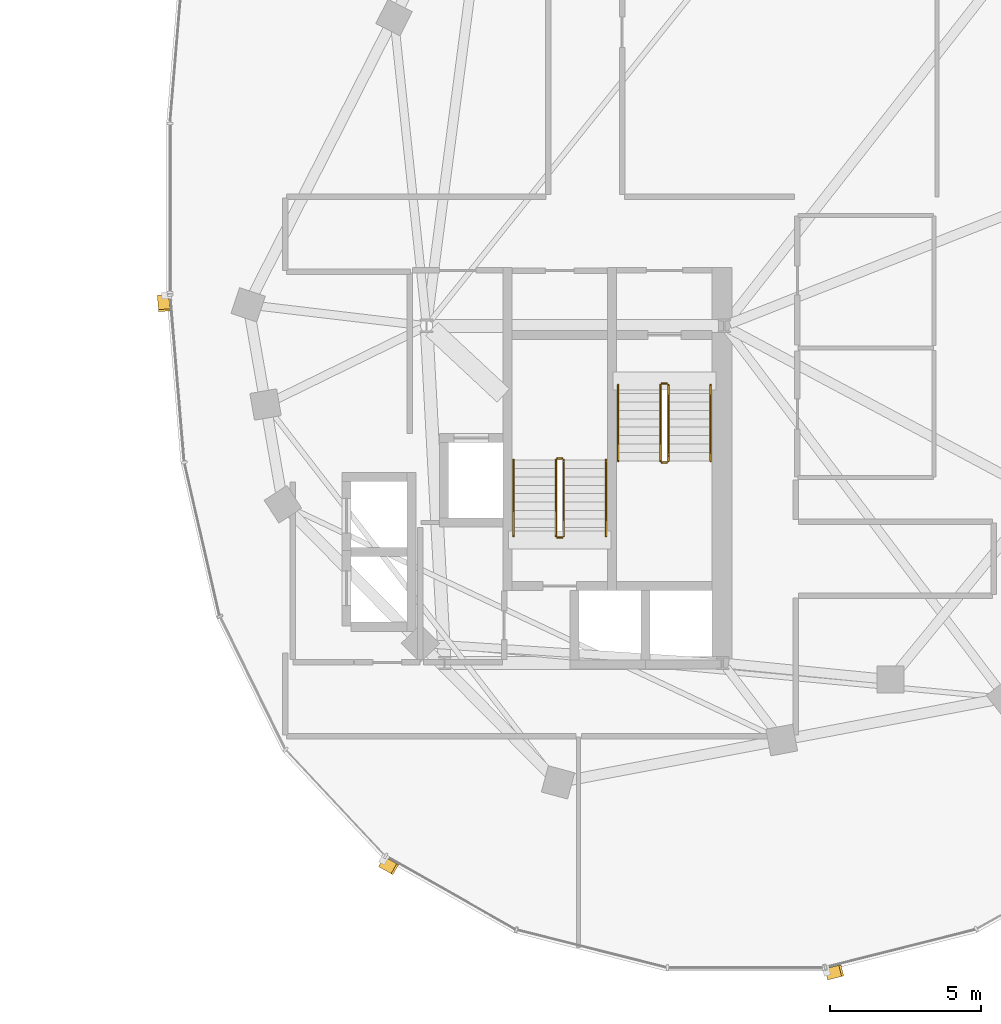
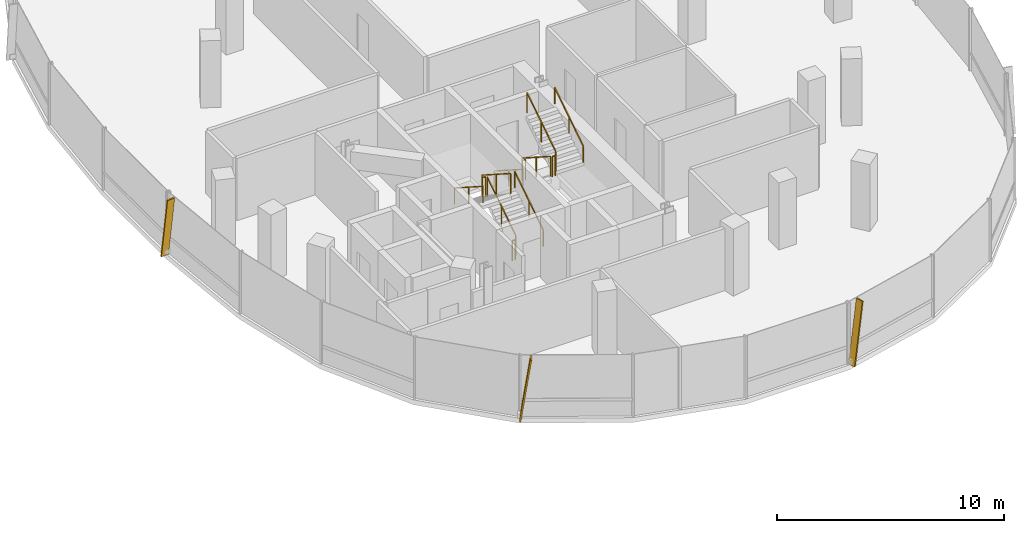
# One storey, part 23 of 24: 12 railings, 3 shading devices.
"""IFC4 building model written with IfcOpenShell, lengths in metres."""

from ifc_helpers import new_model, si_unit, direction, frame, origin, origin_2d, place, context, subcontext, project, spatial, rectangle, extrude, material, material_profile, profile_set, type_object, element, save


model = new_model("IFC4")

# Units and contexts
model_context = context("Model", 3, precision=1e-05, world=origin(), true_north=direction((0.0, 1.0)))
body_context = subcontext(model_context, "Body", "Model", "MODEL_VIEW")
ifc_project = project(units=[si_unit("LENGTHUNIT", "METRE"), si_unit("AREAUNIT", "SQUARE_METRE"), si_unit("VOLUMEUNIT", "CUBIC_METRE"), si_unit("PLANEANGLEUNIT", "RADIAN"), si_unit("MASSUNIT", "GRAM", prefix="KILO"), si_unit("THERMODYNAMICTEMPERATUREUNIT", "KELVIN"), si_unit("POWERUNIT", "WATT")], contexts=[model_context])

# Site, building, storey
site_placement = place(None, origin())
site = spatial("IfcSite", under=ifc_project, at=site_placement, CompositionType="ELEMENT")
building_placement = place(site_placement, origin())
building = spatial("IfcBuilding", under=site, at=building_placement, Name="Cundina Bronze Exchange", CompositionType="ELEMENT")
storey_placement = place(building_placement, frame((0.0, 0.0, 227.800048828125)))
storey = spatial("IfcBuildingStorey", under=building, at=storey_placement, Name="L60", CompositionType="ELEMENT", Elevation=227.800048828125)

# Railings
ifc_material_1 = material(Name="Steel ASTM A36 Painted", Category="steel")
railing_type_1 = type_object("IfcRailingType", Name="RLG-HND-900", PredefinedType="HANDRAIL", material=ifc_material_1)
railing_1_placement = place(storey_placement, frame((27.7900390625, -5.85009765625, 0.179931640625)))
element("IfcRailing", 1, at=railing_1_placement, inside=storey, type_object=railing_type_1, Name="L60 ST-E1 stair handrail 1", PredefinedType="HANDRAIL", context=body_context, shape_type="SweptSolid", body=[
    extrude(rectangle(XDim=0.048095703125, YDim=0.048095703125, at=origin_2d()), frame((0.0, 0.0, 0.8759765625), z_axis=(0.0, -0.841162588446, 0.540782303519), x_axis=(1.0, 0.0, 0.0)), (0.0, 0.0, 1.0), 2.995849609375),
    extrude(rectangle(XDim=0.0419921875, YDim=0.0419921875, at=origin_2d()), origin(), (0.0, 0.0, 1.0), 0.851806640625),
    extrude(rectangle(XDim=0.0419921875, YDim=0.0419921875, at=origin_2d()), frame((0.0, -1.260009765625, 0.81005859375)), (0.0, 0.0, 1.0), 0.851806640625),
    extrude(rectangle(XDim=0.0419921875, YDim=0.0419921875, at=origin_2d()), frame((0.0, -2.52001953125, 1.6201171875)), (0.0, 0.0, 1.0), 0.851806640625),
])
railing_2_placement = place(storey_placement, frame((30.85009765625, -8.3701171875, 1.97998046875)))
element("IfcRailing", 2, at=railing_2_placement, inside=storey, type_object=railing_type_1, Name="L60 ST-E1 stair handrail 2", PredefinedType="HANDRAIL", context=body_context, shape_type="SweptSolid", body=[
    extrude(rectangle(XDim=0.048095703125, YDim=0.048095703125, at=origin_2d()), frame((0.0, 0.0, 0.8759765625), z_axis=(0.0, 0.841199657755, 0.540724639528), x_axis=(-1.0, 0.0, 0.0)), (0.0, 0.0, 1.0), 2.995849609375),
    extrude(rectangle(XDim=0.0419921875, YDim=0.0419921875, at=origin_2d()), origin(), (0.0, 0.0, 1.0), 0.851806640625),
    extrude(rectangle(XDim=0.0419921875, YDim=0.0419921875, at=origin_2d()), frame((0.0, 1.260009765625, 0.81005859375)), (0.0, 0.0, 1.0), 0.851806640625),
    extrude(rectangle(XDim=0.0419921875, YDim=0.0419921875, at=origin_2d()), frame((0.0, 2.52001953125, 1.619873046875)), (0.0, 0.0, 1.0), 0.851806640625),
])
railing_3_placement = place(storey_placement, frame((27.389892578125, -10.85009765625, 0.179931640625)))
element("IfcRailing", 3, at=railing_3_placement, inside=storey, type_object=railing_type_1, Name="L60 ST-E2 stair handrail 1", PredefinedType="HANDRAIL", context=body_context, shape_type="SweptSolid", body=[
    extrude(rectangle(XDim=0.048095703125, YDim=0.048095703125, at=origin_2d()), frame((0.0, 0.0, 0.8759765625), z_axis=(0.0, 0.841162588446, 0.540782303519), x_axis=(-1.0, 0.0, 0.0)), (0.0, 0.0, 1.0), 2.995849609375),
    extrude(rectangle(XDim=0.0419921875, YDim=0.0419921875, at=origin_2d()), origin(), (0.0, 0.0, 1.0), 0.851806640625),
    extrude(rectangle(XDim=0.0419921875, YDim=0.0419921875, at=origin_2d()), frame((0.0, 1.260009765625, 0.81005859375)), (0.0, 0.0, 1.0), 0.851806640625),
    extrude(rectangle(XDim=0.0419921875, YDim=0.0419921875, at=origin_2d()), frame((0.0, 2.52001953125, 1.6201171875)), (0.0, 0.0, 1.0), 0.851806640625),
])
railing_4_placement = place(storey_placement, frame((24.330078125, -8.330078125, 1.97998046875)))
element("IfcRailing", 4, at=railing_4_placement, inside=storey, type_object=railing_type_1, Name="L60 ST-E2 stair handrail 2", PredefinedType="HANDRAIL", context=body_context, shape_type="SweptSolid", body=[
    extrude(rectangle(XDim=0.048095703125, YDim=0.048095703125, at=origin_2d()), frame((0.0, 0.0, 0.8759765625), z_axis=(0.0, -0.841199657755, 0.540724639528), x_axis=(1.0, 0.0, 0.0)), (0.0, 0.0, 1.0), 2.995849609375),
    extrude(rectangle(XDim=0.0419921875, YDim=0.0419921875, at=origin_2d()), origin(), (0.0, 0.0, 1.0), 0.851806640625),
    extrude(rectangle(XDim=0.0419921875, YDim=0.0419921875, at=origin_2d()), frame((0.0, -1.260009765625, 0.81005859375)), (0.0, 0.0, 1.0), 0.851806640625),
    extrude(rectangle(XDim=0.0419921875, YDim=0.0419921875, at=origin_2d()), frame((0.0, -2.52001953125, 1.619873046875)), (0.0, 0.0, 1.0), 0.851806640625),
])
railing_type_2 = type_object("IfcRailingType", Name="RLG-STG-1100", PredefinedType="GUARDRAIL", material=ifc_material_1)
railing_5_placement = place(storey_placement, frame((29.18994140625, -5.85009765625, 0.179931640625)))
element("IfcRailing", 5, at=railing_5_placement, inside=storey, type_object=railing_type_2, Name="L60 ST-E1 stair guard 1", PredefinedType="GUARDRAIL", context=body_context, shape_type="SweptSolid", body=[
    extrude(rectangle(XDim=0.048095703125, YDim=0.048095703125, at=origin_2d()), frame((0.0, 0.0, 1.076171875), z_axis=(0.0, -0.841162588446, 0.540782303519), x_axis=(1.0, 0.0, 0.0)), (0.0, 0.0, 1.0), 2.995849609375),
    extrude(rectangle(XDim=0.0419921875, YDim=0.0419921875, at=origin_2d()), origin(), (0.0, 0.0, 1.0), 1.052001953125),
    extrude(rectangle(XDim=0.0419921875, YDim=0.0419921875, at=origin_2d()), frame((0.0, -1.260009765625, 0.81005859375)), (0.0, 0.0, 1.0), 1.052001953125),
    extrude(rectangle(XDim=0.0419921875, YDim=0.0419921875, at=origin_2d()), frame((0.0, -2.52001953125, 1.6201171875)), (0.0, 0.0, 1.0), 1.052001953125),
])
railing_6_placement = place(storey_placement, frame((29.239990234375, -8.419921875, 1.800048828125)))
element("IfcRailing", 6, at=railing_6_placement, inside=storey, type_object=railing_type_2, Name="L60 ST-E1 stair guard 2", PredefinedType="GUARDRAIL", context=body_context, shape_type="SweptSolid", body=[
    extrude(rectangle(XDim=0.048095703125, YDim=0.048095703125, at=origin_2d()), frame((0.0, 0.0, 1.076171875), z_axis=(1.0, 0.0, 0.0), x_axis=(0.0, 1.0, 0.0)), (0.0, 0.0, 1.0), 0.159912109375),
    extrude(rectangle(XDim=0.0419921875, YDim=0.0419921875, at=origin_2d()), origin(), (0.0, 0.0, 1.0), 1.052001953125),
    extrude(rectangle(XDim=0.0419921875, YDim=0.0419921875, at=origin_2d()), frame((0.159912109375, 0.0, 0.0)), (0.0, 0.0, 1.0), 1.052001953125),
])
railing_7_placement = place(storey_placement, frame((29.449951171875, -8.3701171875, 1.97998046875)))
element("IfcRailing", 7, at=railing_7_placement, inside=storey, type_object=railing_type_2, Name="L60 ST-E1 stair guard 3", PredefinedType="GUARDRAIL", context=body_context, shape_type="SweptSolid", body=[
    extrude(rectangle(XDim=0.048095703125, YDim=0.048095703125, at=origin_2d()), frame((0.0, 0.0, 1.076171875), z_axis=(0.0, 0.841199657755, 0.540724639528), x_axis=(-1.0, 0.0, 0.0)), (0.0, 0.0, 1.0), 2.995849609375),
    extrude(rectangle(XDim=0.0419921875, YDim=0.0419921875, at=origin_2d()), origin(), (0.0, 0.0, 1.0), 1.052001953125),
    extrude(rectangle(XDim=0.0419921875, YDim=0.0419921875, at=origin_2d()), frame((0.0, 1.260009765625, 0.81005859375)), (0.0, 0.0, 1.0), 1.052001953125),
    extrude(rectangle(XDim=0.0419921875, YDim=0.0419921875, at=origin_2d()), frame((0.0, 2.52001953125, 1.619873046875)), (0.0, 0.0, 1.0), 1.052001953125),
])
railing_8_placement = place(storey_placement, frame((29.239990234375, -5.800048828125, 0.0)))
element("IfcRailing", 8, at=railing_8_placement, inside=storey, type_object=railing_type_2, Name="L60 ST-E1 stair guard 4", PredefinedType="GUARDRAIL", context=body_context, shape_type="SweptSolid", body=[
    extrude(rectangle(XDim=0.048095703125, YDim=0.048095703125, at=origin_2d()), frame((0.0, 0.0, 1.076171875), z_axis=(1.0, 0.0, 0.0), x_axis=(0.0, 1.0, 0.0)), (0.0, 0.0, 1.0), 0.159912109375),
    extrude(rectangle(XDim=0.0419921875, YDim=0.0419921875, at=origin_2d()), origin(), (0.0, 0.0, 1.0), 1.052001953125),
    extrude(rectangle(XDim=0.0419921875, YDim=0.0419921875, at=origin_2d()), frame((0.159912109375, 0.0, 0.0)), (0.0, 0.0, 1.0), 1.052001953125),
])
railing_9_placement = place(storey_placement, frame((25.989990234375, -10.85009765625, 0.179931640625)))
element("IfcRailing", 9, at=railing_9_placement, inside=storey, type_object=railing_type_2, Name="L60 ST-E2 stair guard 1", PredefinedType="GUARDRAIL", context=body_context, shape_type="SweptSolid", body=[
    extrude(rectangle(XDim=0.048095703125, YDim=0.048095703125, at=origin_2d()), frame((0.0, 0.0, 1.076171875), z_axis=(0.0, 0.841162588446, 0.540782303519), x_axis=(-1.0, 0.0, 0.0)), (0.0, 0.0, 1.0), 2.995849609375),
    extrude(rectangle(XDim=0.0419921875, YDim=0.0419921875, at=origin_2d()), origin(), (0.0, 0.0, 1.0), 1.052001953125),
    extrude(rectangle(XDim=0.0419921875, YDim=0.0419921875, at=origin_2d()), frame((0.0, 1.260009765625, 0.81005859375)), (0.0, 0.0, 1.0), 1.052001953125),
    extrude(rectangle(XDim=0.0419921875, YDim=0.0419921875, at=origin_2d()), frame((0.0, 2.52001953125, 1.6201171875)), (0.0, 0.0, 1.0), 1.052001953125),
])
railing_10_placement = place(storey_placement, frame((25.93994140625, -8.280029296875, 1.800048828125)))
element("IfcRailing", 10, at=railing_10_placement, inside=storey, type_object=railing_type_2, Name="L60 ST-E2 stair guard 2", PredefinedType="GUARDRAIL", context=body_context, shape_type="SweptSolid", body=[
    extrude(rectangle(XDim=0.048095703125, YDim=0.048095703125, at=origin_2d()), frame((0.0, 0.0, 1.076171875), z_axis=(-1.0, 0.0, 0.0), x_axis=(0.0, -1.0, 0.0)), (0.0, 0.0, 1.0), 0.159912109375),
    extrude(rectangle(XDim=0.0419921875, YDim=0.0419921875, at=origin_2d()), origin(), (0.0, 0.0, 1.0), 1.052001953125),
    extrude(rectangle(XDim=0.0419921875, YDim=0.0419921875, at=origin_2d()), frame((-0.159912109375, 0.0, 0.0)), (0.0, 0.0, 1.0), 1.052001953125),
])
railing_11_placement = place(storey_placement, frame((25.72998046875, -8.330078125, 1.97998046875)))
element("IfcRailing", 11, at=railing_11_placement, inside=storey, type_object=railing_type_2, Name="L60 ST-E2 stair guard 3", PredefinedType="GUARDRAIL", context=body_context, shape_type="SweptSolid", body=[
    extrude(rectangle(XDim=0.048095703125, YDim=0.048095703125, at=origin_2d()), frame((0.0, 0.0, 1.076171875), z_axis=(0.0, -0.841199657755, 0.540724639528), x_axis=(1.0, 0.0, 0.0)), (0.0, 0.0, 1.0), 2.995849609375),
    extrude(rectangle(XDim=0.0419921875, YDim=0.0419921875, at=origin_2d()), origin(), (0.0, 0.0, 1.0), 1.052001953125),
    extrude(rectangle(XDim=0.0419921875, YDim=0.0419921875, at=origin_2d()), frame((0.0, -1.260009765625, 0.81005859375)), (0.0, 0.0, 1.0), 1.052001953125),
    extrude(rectangle(XDim=0.0419921875, YDim=0.0419921875, at=origin_2d()), frame((0.0, -2.52001953125, 1.619873046875)), (0.0, 0.0, 1.0), 1.052001953125),
])
railing_12_placement = place(storey_placement, frame((25.93994140625, -10.89990234375, 0.0)))
element("IfcRailing", 12, at=railing_12_placement, inside=storey, type_object=railing_type_2, Name="L60 ST-E2 stair guard 4", PredefinedType="GUARDRAIL", context=body_context, shape_type="SweptSolid", body=[
    extrude(rectangle(XDim=0.048095703125, YDim=0.048095703125, at=origin_2d()), frame((0.0, 0.0, 1.076171875), z_axis=(-1.0, 0.0, 0.0), x_axis=(0.0, -1.0, 0.0)), (0.0, 0.0, 1.0), 0.159912109375),
    extrude(rectangle(XDim=0.0419921875, YDim=0.0419921875, at=origin_2d()), origin(), (0.0, 0.0, 1.0), 1.052001953125),
    extrude(rectangle(XDim=0.0419921875, YDim=0.0419921875, at=origin_2d()), frame((-0.159912109375, 0.0, 0.0)), (0.0, 0.0, 1.0), 1.052001953125),
])

# Shading devices
ifc_material_2 = material(Name="Anodised Bronze Aluminium 6063-T6", Category="aluminium")
ifc_material_profile = material_profile(ifc_material_2, rectangle(XDim=0.070068359375, YDim=0.3798828125, at=origin_2d()), Name="FIN70X380", Category="aluminium")
ifc_profile_set = profile_set([ifc_material_profile], Name="Anodised Bronze Aluminium 6063-T6")
shading_device_type = type_object("IfcShadingDeviceType", Name="SHD-FIN-BRZ380", PredefinedType="USERDEFINED", material=ifc_profile_set)
for number, where, z_axis, x_axis, name in (
    (13, (12.735595703125, -2.90283203125, 0.02001953125), (0.012006555776, -0.143419772964, 0.98958911238), (-0.082555834947, 0.986139516224, 0.143921466983), "L60 Diagonal Bronze Solar Fin 1"),
    (14, (19.984375, -21.635498046875, 0.02001953125), (0.125189514072, -0.071087145125, 0.989582843103), (-0.860526986551, 0.488638423358, 0.143964567292), "L60 Diagonal Bronze Solar Fin 5"),
    (15, (34.705810546875, -25.344482421875, 0.02001953125), (0.139611891367, 0.03514090606, 0.989582556693), (-0.959650042543, -0.24154799183, 0.143966536007), "L60 Diagonal Bronze Solar Fin 1"),
):
    element("IfcShadingDevice", number, at=place(storey_placement, frame(where, z_axis=z_axis, x_axis=x_axis)), inside=storey, type_object=shading_device_type, Name=name, ObjectType="FIN", PredefinedType="USERDEFINED", context=body_context, shape_type="SweptSolid", body=[
        extrude(rectangle(XDim=0.070068359375, YDim=0.3798828125, at=origin_2d()), origin(), (0.0, 0.0, 1.0), 3.334716796875),
    ])

save(model, "model.ifc")
